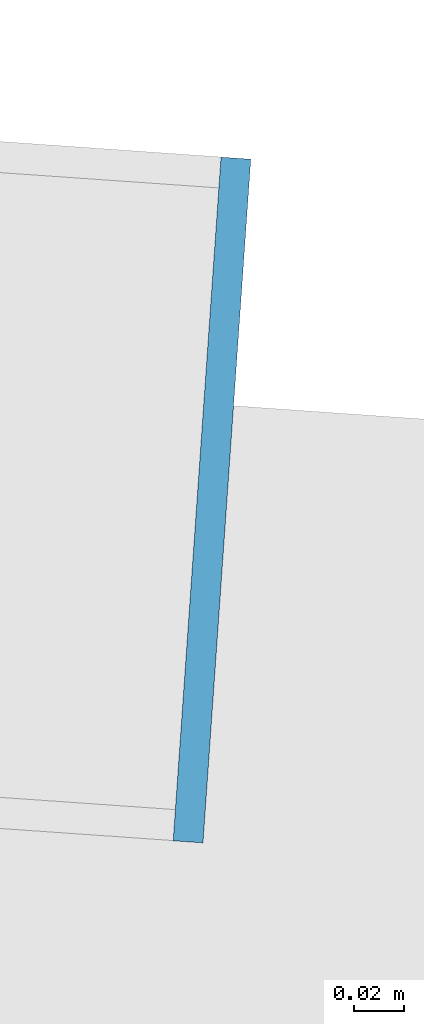
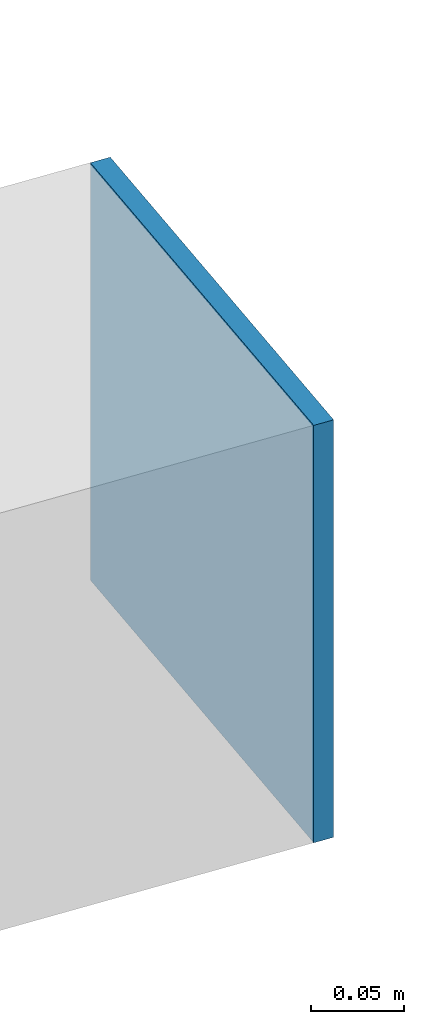
# One storey, part 31 of 39: 1 plate.
"""IFC4 building model written with IfcOpenShell, lengths in metres."""

from ifc_helpers import new_model, si_unit, direction, frame, origin, origin_2d, place, context, subcontext, project, spatial, rectangle, extrude, source, transform, mapped, material, layer, layer_set, type_object, element, save


model = new_model("IFC4")

# Units and contexts
model_context = context("Model", 3, precision=1e-05, world=origin(), true_north=direction((0.0, 1.0)))
body_context = subcontext(model_context, "Body", "Model", "MODEL_VIEW")
ifc_project = project(units=[si_unit("LENGTHUNIT", "METRE"), si_unit("AREAUNIT", "SQUARE_METRE"), si_unit("VOLUMEUNIT", "CUBIC_METRE"), si_unit("PLANEANGLEUNIT", "RADIAN"), si_unit("MASSUNIT", "GRAM", prefix="KILO")], contexts=[model_context])

# Site, building, storey
site_placement = place(None, origin())
site = spatial("IfcSite", under=ifc_project, at=site_placement, CompositionType="ELEMENT")
building_placement = place(site_placement, origin())
building = spatial("IfcBuilding", under=site, at=building_placement, Name="Taldren Reach Tower", CompositionType="ELEMENT")
storey_placement = place(building_placement, frame((0.0, 0.0, 158.199951171875)))
storey = spatial("IfcBuildingStorey", under=building, at=storey_placement, Name="L48", CompositionType="ELEMENT", Elevation=158.199951171875)

# Plate
ifc_material = material(Name="Steel Gr 450 (C450L0)", Category="steel")
ifc_layer = layer(ifc_material, 0.011962890625)
ifc_layer_set = layer_set([ifc_layer], Name="Steel Gr 450 (C450L0)")
plate_type = type_object("IfcPlateType", Name="PL-CAP-275", PredefinedType="SHEET", material=ifc_layer_set)
shared_shape = source(origin(), body_context, "Body", "SweptSolid", [
    extrude(rectangle(XDim=0.011962890625, YDim=0.27490234375, at=origin_2d()), origin(), (0.0, 0.0, 1.0), 0.27490234375),
])
plate_placement = place(storey_placement, frame((62.88330078125, 30.991943359375, 2.5126953125), z_axis=(0.0, 0.0, 1.0), x_axis=(0.99756405026, -0.069756473744, 0.0)))
element("IfcPlate", 1, at=plate_placement, inside=storey, type_object=plate_type, Name="Tie strut end cap plate B3-E3 L48", PredefinedType="SHEET", context=body_context, shape_type="MappedRepresentation", body=[
    mapped(shared_shape, transform((0.0, 0.0, 0.0), scale=1.0)),
])

save(model, "model.ifc")
